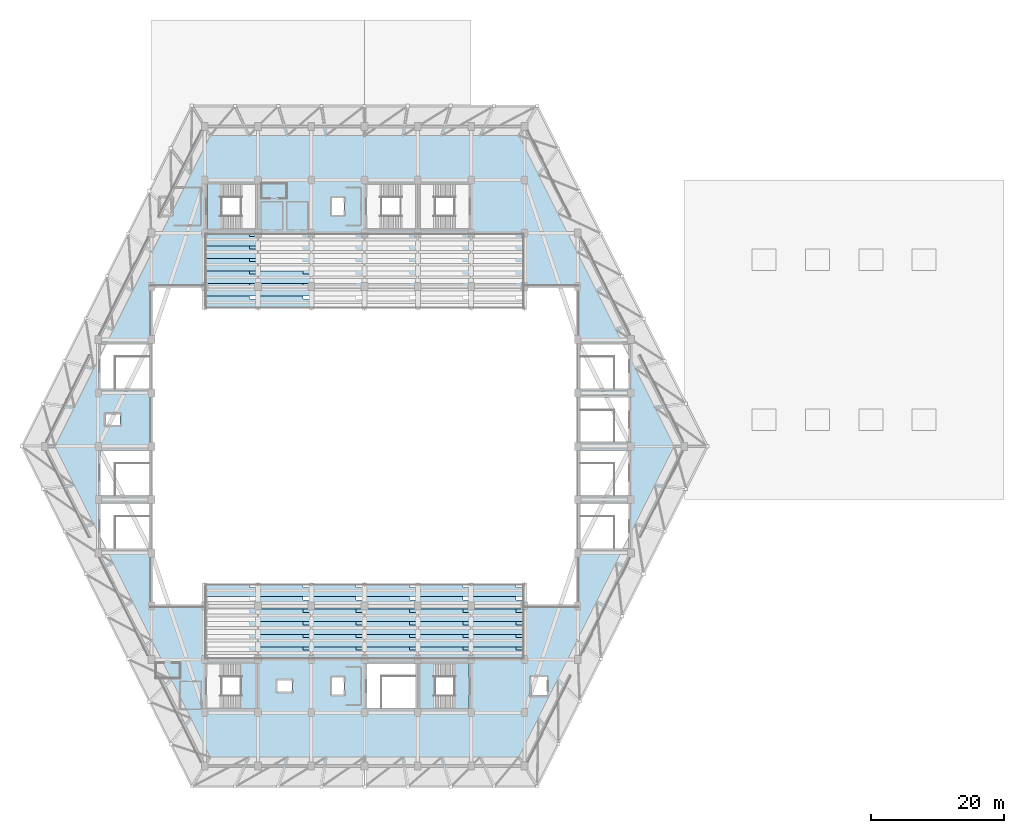
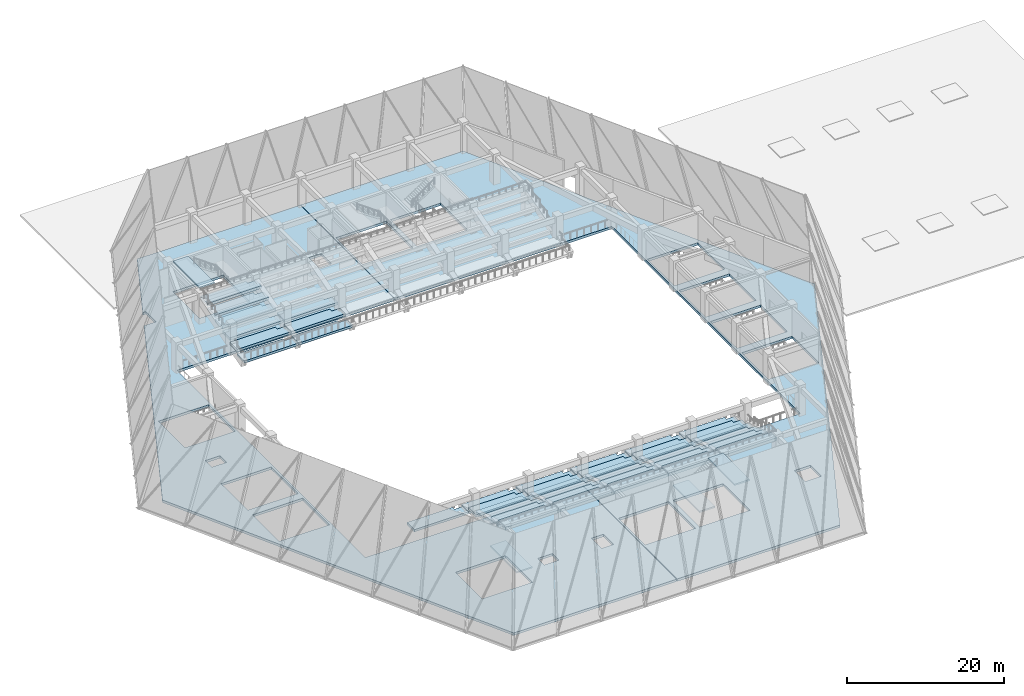
# One storey, part 5 of 24: 46 slabs, 3 elements without a shape of their own.
"""IFC4 building model written with IfcOpenShell, lengths in metres."""

from ifc_helpers import new_model, si_unit, direction, frame, origin, place, context, subcontext, project, spatial, polyline, outline, extrude, material, layer, layer_set, type_object, element, aggregate, save


model = new_model("IFC4")

# Units and contexts
model_context = context("Model", 3, precision=1e-05, world=origin(), true_north=direction((0.0, 1.0)))
body_context = subcontext(model_context, "Body", "Model", "MODEL_VIEW")
ifc_project = project(units=[si_unit("LENGTHUNIT", "METRE"), si_unit("AREAUNIT", "SQUARE_METRE"), si_unit("VOLUMEUNIT", "CUBIC_METRE"), si_unit("PLANEANGLEUNIT", "RADIAN"), si_unit("MASSUNIT", "GRAM", prefix="KILO")], contexts=[model_context])

# Site, building, storey
site_placement = place(None, origin())
site = spatial("IfcSite", under=ifc_project, at=site_placement, CompositionType="ELEMENT")
building_placement = place(site_placement, origin())
building = spatial("IfcBuilding", under=site, at=building_placement, Name="Tazarka Park Arena", CompositionType="ELEMENT")
storey_placement = place(building_placement, frame((0.0, 0.0, 15.0)))
storey = spatial("IfcBuildingStorey", under=building, at=storey_placement, Name="L03", CompositionType="ELEMENT", Elevation=15.0)

# Stair, slab
ifc_material_1 = material(Name="Precast concrete C40/50", Category="concrete")
stair_type = type_object("IfcStairType", Name="STR-2400", PredefinedType="HALF_TURN_STAIR", material=ifc_material_1)
stair_1_placement = place(storey_placement, origin())
stair_1 = element("IfcStair", 1, at=stair_1_placement, inside=storey, type_object=stair_type, Name="Stair ST09 L03", PredefinedType="HALF_TURN_STAIR")
ifc_material_2 = material(Name="Precast concrete C40/50", Category="concrete")
ifc_layer_1 = layer(ifc_material_2, 0.219970703125, Name="Precast concrete C40/50")
ifc_layer_set_1 = layer_set([ifc_layer_1], Name="Precast concrete C40/50")
slab_type_1 = type_object("IfcSlabType", Name="LND-02", PredefinedType="LANDING", material=ifc_layer_set_1)
slab_1_placement = place(storey_placement, frame((0.0, 0.0, 2.179931640625)))
slab_1 = element("IfcSlab", 2, at=slab_1_placement, type_object=slab_type_1, Name="ST09-L03 landing 1", PredefinedType="LANDING", context=body_context, shape_type="SweptSolid", body=[
    extrude(outline(polyline([(69.409912109375, 24.610107421875), (71.68994140625, 24.610107421875), (71.68994140625, 31.389892578125), (69.409912109375, 31.389892578125), (69.409912109375, 24.610107421875)])), origin(), (0.0, 0.0, 1.0), 0.219970703125),
])
aggregate(stair_1, [slab_1])

# Stair, slabs
stair_2_placement = place(storey_placement, origin())
stair_2 = element("IfcStair", 3, at=stair_2_placement, inside=storey, type_object=stair_type, Name="Stair ST11 L03", PredefinedType="HALF_TURN_STAIR")
slab_2_placement = place(storey_placement, frame((0.0, 0.0, 2.179931640625)))
slab_2 = element("IfcSlab", 4, at=slab_2_placement, type_object=slab_type_1, Name="ST11-L03 landing 1", PredefinedType="LANDING", context=body_context, shape_type="SweptSolid", body=[
    extrude(outline(polyline([(96.31005859375, 24.610107421875), (98.590087890625, 24.610107421875), (98.590087890625, 31.389892578125), (96.31005859375, 31.389892578125), (96.31005859375, 24.610107421875)])), origin(), (0.0, 0.0, 1.0), 0.219970703125),
])
slab_3_placement = place(storey_placement, frame((0.0, 0.0, 4.580078125)))
slab_3 = element("IfcSlab", 5, at=slab_3_placement, type_object=slab_type_1, Name="ST11-L03 landing 2", PredefinedType="LANDING", context=body_context, shape_type="SweptSolid", body=[
    extrude(outline(polyline([(101.465087890625, 24.610107421875), (103.68994140625, 24.610107421875), (103.68994140625, 31.389892578125), (101.465087890625, 31.389892578125), (101.465087890625, 24.610107421875)])), origin(), (0.0, 0.0, 1.0), 0.219970703125),
])
aggregate(stair_2, [slab_2, slab_3])

# Stair, slab
stair_3_placement = place(storey_placement, origin())
stair_3 = element("IfcStair", 6, at=stair_3_placement, inside=storey, type_object=stair_type, Name="Stair ST14 L03", PredefinedType="HALF_TURN_STAIR")
slab_4_placement = place(storey_placement, frame((0.0, 0.0, 4.580078125)))
slab_4 = element("IfcSlab", 7, at=slab_4_placement, type_object=slab_type_1, Name="ST14-L03 landing 2", PredefinedType="LANDING", context=body_context, shape_type="SweptSolid", body=[
    extrude(outline(polyline([(64.31005859375, 96.610107421875), (66.534912109375, 96.610107421875), (66.534912109375, 103.389892578125), (64.31005859375, 103.389892578125), (64.31005859375, 96.610107421875)])), origin(), (0.0, 0.0, 1.0), 0.219970703125),
])
aggregate(stair_3, [slab_4])

# Slabs
ifc_material_3 = material(Name="Concrete C40/50", Category="concrete")
ifc_layer_2 = layer(ifc_material_3, 0.3798828125, Name="Concrete C40/50")
ifc_layer_set_2 = layer_set([ifc_layer_2], Name="Concrete C40/50")
slab_type_2 = type_object("IfcSlabType", Name="SLB-SL-06", PredefinedType="FLOOR", material=ifc_layer_set_2)
slab_5_placement = place(storey_placement, frame((0.0, 0.0, -0.3798828125)))
element("IfcSlab", 8, at=slab_5_placement, inside=storey, type_object=slab_type_2, Name="FLR-L03-BW-01", PredefinedType="FLOOR", context=body_context, shape_type="SweptSolid", body=[
    extrude(outline(polyline([(56.0, 88.0), (56.0, 40.0), (87.968994140625, 39.9931640625), (87.96142578125, 16.002197265625), (63.996826171875, 16.00927734375), (40.003662109375, 64.00146484375), (57.3466796875, 98.693359375), (59.090087890625, 98.7099609375), (59.090087890625, 101.2900390625), (58.690673828125, 101.2900390625), (58.66552734375, 101.330810546875), (63.996826171875, 111.99072265625), (87.97314453125, 111.989013671875), (87.968994140625, 88.0068359375), (56.0, 88.0)]), holes=[polyline([(83.110107421875, 26.7099609375), (84.889892578125, 26.7099609375), (84.889892578125, 29.2900390625), (83.110107421875, 29.2900390625), (83.110107421875, 26.7099609375)]), polyline([(83.110107421875, 98.7099609375), (84.889892578125, 98.7099609375), (84.889892578125, 101.2900390625), (83.110107421875, 101.2900390625), (83.110107421875, 98.7099609375)]), polyline([(74.909912109375, 27.159912109375), (77.090087890625, 27.159912109375), (77.090087890625, 28.840087890625), (74.909912109375, 28.840087890625), (74.909912109375, 27.159912109375)]), polyline([(64.300048828125, 24.60009765625), (71.699951171875, 24.60009765625), (71.699951171875, 31.39990234375), (64.300048828125, 31.39990234375), (64.300048828125, 24.60009765625)]), polyline([(64.300048828125, 96.60009765625), (71.699951171875, 96.60009765625), (71.699951171875, 103.39990234375), (64.300048828125, 103.39990234375), (64.300048828125, 96.60009765625)]), polyline([(48.300048828125, 72.60009765625), (55.699951171875, 72.60009765625), (55.699951171875, 79.39990234375), (48.300048828125, 79.39990234375), (48.300048828125, 72.60009765625)]), polyline([(48.300048828125, 48.60009765625), (55.699951171875, 48.60009765625), (55.699951171875, 55.39990234375), (48.300048828125, 55.39990234375), (48.300048828125, 48.60009765625)]), polyline([(48.300048828125, 56.60009765625), (55.699951171875, 56.60009765625), (55.699951171875, 63.39990234375), (48.300048828125, 63.39990234375), (48.300048828125, 56.60009765625)]), polyline([(49.110107421875, 67.159912109375), (51.2900390625, 67.159912109375), (51.2900390625, 68.840087890625), (49.110107421875, 68.840087890625), (49.110107421875, 67.159912109375)])]), origin(), (0.0, 0.0, 1.0), 0.3798828125),
])
slab_6_placement = place(storey_placement, frame((0.0, 0.0, -0.3798828125)))
element("IfcSlab", 9, at=slab_6_placement, inside=storey, type_object=slab_type_2, Name="FLR-L03-BE-01", PredefinedType="FLOOR", context=body_context, shape_type="SweptSolid", body=[
    extrude(outline(polyline([(111.9814453125, 112.0), (135.976806640625, 64.04638671875), (135.978759765625, 63.958740234375), (112.003173828125, 16.00927734375), (88.044189453125, 16.00048828125), (88.031005859375, 39.9931640625), (120.0, 40.0), (120.0, 88.0), (88.050048828125, 88.0), (88.02001953125, 88.027099609375), (88.02880859375, 111.9912109375), (111.9814453125, 112.0)]), holes=[polyline([(120.300048828125, 48.60009765625), (127.699951171875, 48.60009765625), (127.699951171875, 55.39990234375), (120.300048828125, 55.39990234375), (120.300048828125, 48.60009765625)]), polyline([(120.300048828125, 56.60009765625), (127.699951171875, 56.60009765625), (127.699951171875, 63.39990234375), (120.300048828125, 63.39990234375), (120.300048828125, 56.60009765625)]), polyline([(120.300048828125, 64.60009765625), (127.699951171875, 64.60009765625), (127.699951171875, 71.39990234375), (120.300048828125, 71.39990234375), (120.300048828125, 64.60009765625)]), polyline([(120.300048828125, 72.60009765625), (127.699951171875, 72.60009765625), (127.699951171875, 79.39990234375), (120.300048828125, 79.39990234375), (120.300048828125, 72.60009765625)]), polyline([(113.010009765625, 26.610107421875), (115.389892578125, 26.610107421875), (115.389892578125, 29.389892578125), (113.010009765625, 29.389892578125), (113.010009765625, 26.610107421875)]), polyline([(96.300048828125, 24.60009765625), (103.699951171875, 24.60009765625), (103.699951171875, 31.39990234375), (96.300048828125, 31.39990234375), (96.300048828125, 24.60009765625)]), polyline([(96.300048828125, 96.60009765625), (103.699951171875, 96.60009765625), (103.699951171875, 103.39990234375), (96.300048828125, 103.39990234375), (96.300048828125, 96.60009765625)]), polyline([(88.300048828125, 24.60009765625), (95.699951171875, 24.60009765625), (95.699951171875, 31.39990234375), (88.300048828125, 31.39990234375), (88.300048828125, 24.60009765625)]), polyline([(88.300048828125, 96.60009765625), (95.699951171875, 96.60009765625), (95.699951171875, 103.39990234375), (88.300048828125, 103.39990234375), (88.300048828125, 96.60009765625)])]), origin(), (0.0, 0.0, 1.0), 0.3798828125),
])
ifc_material_4 = material(Name="Precast concrete C40/50", Category="concrete")
ifc_layer_3 = layer(ifc_material_4, 0.35009765625, Name="Precast concrete C40/50")
ifc_layer_set_3 = layer_set([ifc_layer_3], Name="Precast concrete C40/50")
slab_type_3 = type_object("IfcSlabType", Name="SLB-TR-01", PredefinedType="USERDEFINED", material=ifc_layer_set_3)
slab_7_placement = place(storey_placement, frame((0.0, 0.0, 0.300048828125)))
element("IfcSlab", 10, at=slab_7_placement, inside=storey, type_object=slab_type_3, Name="Stand Upper Tier S08-1", ObjectType="SEATING TIER", PredefinedType="USERDEFINED", context=body_context, shape_type="SweptSolid", body=[
    extrude(outline(polyline([(64.0400390625, 41.419921875), (71.9599609375, 41.419921875), (71.9599609375, 42.820068359375), (70.75, 42.820068359375), (70.75, 43.300048828125), (64.0400390625, 43.300048828125), (64.0400390625, 41.419921875)])), origin(), (0.0, 0.0, 1.0), 0.349853515625),
])
slab_8_placement = place(storey_placement, frame((0.0, 0.0, 0.300048828125)))
element("IfcSlab", 11, at=slab_8_placement, inside=storey, type_object=slab_type_3, Name="Stand Upper Tier S09-1", ObjectType="SEATING TIER", PredefinedType="USERDEFINED", context=body_context, shape_type="SweptSolid", body=[
    extrude(outline(polyline([(72.0400390625, 41.419921875), (79.9599609375, 41.419921875), (79.9599609375, 42.820068359375), (78.75, 42.820068359375), (78.75, 43.300048828125), (72.0400390625, 43.300048828125), (72.0400390625, 41.419921875)])), origin(), (0.0, 0.0, 1.0), 0.349853515625),
])
slab_9_placement = place(storey_placement, frame((0.0, 0.0, 0.300048828125)))
element("IfcSlab", 12, at=slab_9_placement, inside=storey, type_object=slab_type_3, Name="Stand Upper Tier S10-1", ObjectType="SEATING TIER", PredefinedType="USERDEFINED", context=body_context, shape_type="SweptSolid", body=[
    extrude(outline(polyline([(80.0400390625, 41.419921875), (87.9599609375, 41.419921875), (87.9599609375, 42.820068359375), (86.75, 42.820068359375), (86.75, 43.300048828125), (80.0400390625, 43.300048828125), (80.0400390625, 41.419921875)])), origin(), (0.0, 0.0, 1.0), 0.349853515625),
])
slab_10_placement = place(storey_placement, frame((0.0, 0.0, 0.300048828125)))
element("IfcSlab", 13, at=slab_10_placement, inside=storey, type_object=slab_type_3, Name="Stand Upper Tier S11-1", ObjectType="SEATING TIER", PredefinedType="USERDEFINED", context=body_context, shape_type="SweptSolid", body=[
    extrude(outline(polyline([(88.0400390625, 41.419921875), (95.9599609375, 41.419921875), (95.9599609375, 42.820068359375), (94.75, 42.820068359375), (94.75, 43.300048828125), (88.0400390625, 43.300048828125), (88.0400390625, 41.419921875)])), origin(), (0.0, 0.0, 1.0), 0.349853515625),
])
slab_11_placement = place(storey_placement, frame((0.0, 0.0, 0.300048828125)))
element("IfcSlab", 14, at=slab_11_placement, inside=storey, type_object=slab_type_3, Name="Stand Upper Tier S12-1", ObjectType="SEATING TIER", PredefinedType="USERDEFINED", context=body_context, shape_type="SweptSolid", body=[
    extrude(outline(polyline([(96.0400390625, 41.419921875), (103.9599609375, 41.419921875), (103.9599609375, 42.820068359375), (102.75, 42.820068359375), (102.75, 43.300048828125), (96.0400390625, 43.300048828125), (96.0400390625, 41.419921875)])), origin(), (0.0, 0.0, 1.0), 0.349853515625),
])
slab_12_placement = place(storey_placement, frame((0.0, 0.0, 0.300048828125)))
element("IfcSlab", 15, at=slab_12_placement, inside=storey, type_object=slab_type_3, Name="Stand Upper Tier S13-1", ObjectType="SEATING TIER", PredefinedType="USERDEFINED", context=body_context, shape_type="SweptSolid", body=[
    extrude(outline(polyline([(104.0400390625, 41.419921875), (111.9599609375, 41.419921875), (111.9599609375, 42.820068359375), (110.75, 42.820068359375), (110.75, 43.300048828125), (104.0400390625, 43.300048828125), (104.0400390625, 41.419921875)])), origin(), (0.0, 0.0, 1.0), 0.349853515625),
])
slab_13_placement = place(storey_placement, frame((0.0, 0.0, 0.300048828125)))
element("IfcSlab", 16, at=slab_13_placement, inside=storey, type_object=slab_type_3, Name="Stand Upper Tier N08-1", ObjectType="SEATING TIER", PredefinedType="USERDEFINED", context=body_context, shape_type="SweptSolid", body=[
    extrude(outline(polyline([(64.0400390625, 84.699951171875), (71.9599609375, 84.699951171875), (71.9599609375, 86.10009765625), (70.75, 86.10009765625), (70.75, 86.580078125), (64.0400390625, 86.580078125), (64.0400390625, 84.699951171875)])), origin(), (0.0, 0.0, 1.0), 0.349853515625),
])
slab_14_placement = place(storey_placement, frame((0.0, 0.0, 0.300048828125)))
element("IfcSlab", 17, at=slab_14_placement, inside=storey, type_object=slab_type_3, Name="Stand Upper Tier N09-1", ObjectType="SEATING TIER", PredefinedType="USERDEFINED", context=body_context, shape_type="SweptSolid", body=[
    extrude(outline(polyline([(72.0400390625, 84.699951171875), (79.9599609375, 84.699951171875), (79.9599609375, 86.10009765625), (78.75, 86.10009765625), (78.75, 86.580078125), (72.0400390625, 86.580078125), (72.0400390625, 84.699951171875)])), origin(), (0.0, 0.0, 1.0), 0.349853515625),
])
ifc_material_5 = material(Name="Precast concrete C40/50", Category="concrete")
ifc_layer_4 = layer(ifc_material_5, 0.3701171875, Name="Precast concrete C40/50")
ifc_layer_set_4 = layer_set([ifc_layer_4], Name="Precast concrete C40/50")
slab_type_4 = type_object("IfcSlabType", Name="SLB-TR-02", PredefinedType="USERDEFINED", material=ifc_layer_set_4)
slab_15_placement = place(storey_placement, frame((0.0, 0.0, 0.929931640625)))
element("IfcSlab", 18, at=slab_15_placement, inside=storey, type_object=slab_type_4, Name="Stand Upper Tier S09-2", ObjectType="SEATING TIER", PredefinedType="USERDEFINED", context=body_context, shape_type="SweptSolid", body=[
    extrude(outline(polyline([(72.0400390625, 39.5400390625), (79.9599609375, 39.5400390625), (79.9599609375, 40.93994140625), (78.75, 40.93994140625), (78.75, 41.419921875), (72.0400390625, 41.419921875), (72.0400390625, 39.5400390625)])), origin(), (0.0, 0.0, 1.0), 0.3701171875),
])
slab_16_placement = place(storey_placement, frame((0.0, 0.0, 0.929931640625)))
element("IfcSlab", 19, at=slab_16_placement, inside=storey, type_object=slab_type_4, Name="Stand Upper Tier S10-2", ObjectType="SEATING TIER", PredefinedType="USERDEFINED", context=body_context, shape_type="SweptSolid", body=[
    extrude(outline(polyline([(80.0400390625, 39.5400390625), (87.9599609375, 39.5400390625), (87.9599609375, 40.93994140625), (86.75, 40.93994140625), (86.75, 41.419921875), (80.0400390625, 41.419921875), (80.0400390625, 39.5400390625)])), origin(), (0.0, 0.0, 1.0), 0.3701171875),
])
slab_17_placement = place(storey_placement, frame((0.0, 0.0, 0.929931640625)))
element("IfcSlab", 20, at=slab_17_placement, inside=storey, type_object=slab_type_4, Name="Stand Upper Tier S11-2", ObjectType="SEATING TIER", PredefinedType="USERDEFINED", context=body_context, shape_type="SweptSolid", body=[
    extrude(outline(polyline([(88.0400390625, 39.5400390625), (95.9599609375, 39.5400390625), (95.9599609375, 40.93994140625), (94.75, 40.93994140625), (94.75, 41.419921875), (88.0400390625, 41.419921875), (88.0400390625, 39.5400390625)])), origin(), (0.0, 0.0, 1.0), 0.3701171875),
])
slab_18_placement = place(storey_placement, frame((0.0, 0.0, 0.929931640625)))
element("IfcSlab", 21, at=slab_18_placement, inside=storey, type_object=slab_type_4, Name="Stand Upper Tier S12-2", ObjectType="SEATING TIER", PredefinedType="USERDEFINED", context=body_context, shape_type="SweptSolid", body=[
    extrude(outline(polyline([(96.0400390625, 39.5400390625), (103.9599609375, 39.5400390625), (103.9599609375, 40.93994140625), (102.75, 40.93994140625), (102.75, 41.419921875), (96.0400390625, 41.419921875), (96.0400390625, 39.5400390625)])), origin(), (0.0, 0.0, 1.0), 0.3701171875),
])
slab_19_placement = place(storey_placement, frame((0.0, 0.0, 0.929931640625)))
element("IfcSlab", 22, at=slab_19_placement, inside=storey, type_object=slab_type_4, Name="Stand Upper Tier S13-2", ObjectType="SEATING TIER", PredefinedType="USERDEFINED", context=body_context, shape_type="SweptSolid", body=[
    extrude(outline(polyline([(104.0400390625, 39.5400390625), (111.9599609375, 39.5400390625), (111.9599609375, 40.93994140625), (110.75, 40.93994140625), (110.75, 41.419921875), (104.0400390625, 41.419921875), (104.0400390625, 39.5400390625)])), origin(), (0.0, 0.0, 1.0), 0.3701171875),
])
slab_20_placement = place(storey_placement, frame((0.0, 0.0, 0.929931640625)))
element("IfcSlab", 23, at=slab_20_placement, inside=storey, type_object=slab_type_4, Name="Stand Upper Tier N08-2", ObjectType="SEATING TIER", PredefinedType="USERDEFINED", context=body_context, shape_type="SweptSolid", body=[
    extrude(outline(polyline([(64.0400390625, 86.580078125), (71.9599609375, 86.580078125), (71.9599609375, 87.97998046875), (70.75, 87.97998046875), (70.75, 88.4599609375), (64.0400390625, 88.4599609375), (64.0400390625, 86.580078125)])), origin(), (0.0, 0.0, 1.0), 0.3701171875),
])
slab_21_placement = place(storey_placement, frame((0.0, 0.0, 0.929931640625)))
element("IfcSlab", 24, at=slab_21_placement, inside=storey, type_object=slab_type_4, Name="Stand Upper Tier N09-2", ObjectType="SEATING TIER", PredefinedType="USERDEFINED", context=body_context, shape_type="SweptSolid", body=[
    extrude(outline(polyline([(72.0400390625, 86.580078125), (79.9599609375, 86.580078125), (79.9599609375, 87.97998046875), (78.75, 87.97998046875), (78.75, 88.4599609375), (72.0400390625, 88.4599609375), (72.0400390625, 86.580078125)])), origin(), (0.0, 0.0, 1.0), 0.3701171875),
])
ifc_material_6 = material(Name="Precast concrete C40/50", Category="concrete")
ifc_layer_5 = layer(ifc_material_6, 0.389892578125, Name="Precast concrete C40/50")
ifc_layer_set_5 = layer_set([ifc_layer_5], Name="Precast concrete C40/50")
slab_type_5 = type_object("IfcSlabType", Name="SLB-TR-03", PredefinedType="USERDEFINED", material=ifc_layer_set_5)
slab_22_placement = place(storey_placement, frame((0.0, 0.0, 1.56005859375)))
element("IfcSlab", 25, at=slab_22_placement, inside=storey, type_object=slab_type_5, Name="Stand Upper Tier S09-3", ObjectType="SEATING TIER", PredefinedType="USERDEFINED", context=body_context, shape_type="SweptSolid", body=[
    extrude(outline(polyline([(72.0400390625, 37.659912109375), (79.9599609375, 37.659912109375), (79.9599609375, 39.06005859375), (78.75, 39.06005859375), (78.75, 39.5400390625), (72.0400390625, 39.5400390625), (72.0400390625, 37.659912109375)])), origin(), (0.0, 0.0, 1.0), 0.389892578125),
])
slab_23_placement = place(storey_placement, frame((0.0, 0.0, 1.56005859375)))
element("IfcSlab", 26, at=slab_23_placement, inside=storey, type_object=slab_type_5, Name="Stand Upper Tier S10-3", ObjectType="SEATING TIER", PredefinedType="USERDEFINED", context=body_context, shape_type="SweptSolid", body=[
    extrude(outline(polyline([(80.0400390625, 37.659912109375), (87.9599609375, 37.659912109375), (87.9599609375, 39.06005859375), (86.75, 39.06005859375), (86.75, 39.5400390625), (80.0400390625, 39.5400390625), (80.0400390625, 37.659912109375)])), origin(), (0.0, 0.0, 1.0), 0.389892578125),
])
slab_24_placement = place(storey_placement, frame((0.0, 0.0, 1.56005859375)))
element("IfcSlab", 27, at=slab_24_placement, inside=storey, type_object=slab_type_5, Name="Stand Upper Tier S11-3", ObjectType="SEATING TIER", PredefinedType="USERDEFINED", context=body_context, shape_type="SweptSolid", body=[
    extrude(outline(polyline([(88.0400390625, 37.659912109375), (95.9599609375, 37.659912109375), (95.9599609375, 39.06005859375), (94.75, 39.06005859375), (94.75, 39.5400390625), (88.0400390625, 39.5400390625), (88.0400390625, 37.659912109375)])), origin(), (0.0, 0.0, 1.0), 0.389892578125),
])
slab_25_placement = place(storey_placement, frame((0.0, 0.0, 1.56005859375)))
element("IfcSlab", 28, at=slab_25_placement, inside=storey, type_object=slab_type_5, Name="Stand Upper Tier S12-3", ObjectType="SEATING TIER", PredefinedType="USERDEFINED", context=body_context, shape_type="SweptSolid", body=[
    extrude(outline(polyline([(96.0400390625, 37.659912109375), (103.9599609375, 37.659912109375), (103.9599609375, 39.06005859375), (102.75, 39.06005859375), (102.75, 39.5400390625), (96.0400390625, 39.5400390625), (96.0400390625, 37.659912109375)])), origin(), (0.0, 0.0, 1.0), 0.389892578125),
])
slab_26_placement = place(storey_placement, frame((0.0, 0.0, 1.56005859375)))
element("IfcSlab", 29, at=slab_26_placement, inside=storey, type_object=slab_type_5, Name="Stand Upper Tier S13-3", ObjectType="SEATING TIER", PredefinedType="USERDEFINED", context=body_context, shape_type="SweptSolid", body=[
    extrude(outline(polyline([(104.0400390625, 37.659912109375), (111.9599609375, 37.659912109375), (111.9599609375, 39.06005859375), (110.75, 39.06005859375), (110.75, 39.5400390625), (104.0400390625, 39.5400390625), (104.0400390625, 37.659912109375)])), origin(), (0.0, 0.0, 1.0), 0.389892578125),
])
slab_27_placement = place(storey_placement, frame((0.0, 0.0, 1.56005859375)))
element("IfcSlab", 30, at=slab_27_placement, inside=storey, type_object=slab_type_5, Name="Stand Upper Tier N08-3", ObjectType="SEATING TIER", PredefinedType="USERDEFINED", context=body_context, shape_type="SweptSolid", body=[
    extrude(outline(polyline([(64.0400390625, 88.4599609375), (71.9599609375, 88.4599609375), (71.9599609375, 89.860107421875), (70.75, 89.860107421875), (70.75, 90.340087890625), (64.0400390625, 90.340087890625), (64.0400390625, 88.4599609375)])), origin(), (0.0, 0.0, 1.0), 0.389892578125),
])
slab_28_placement = place(storey_placement, frame((0.0, 0.0, 1.56005859375)))
element("IfcSlab", 31, at=slab_28_placement, inside=storey, type_object=slab_type_5, Name="Stand Upper Tier N09-3", ObjectType="SEATING TIER", PredefinedType="USERDEFINED", context=body_context, shape_type="SweptSolid", body=[
    extrude(outline(polyline([(72.0400390625, 88.4599609375), (79.9599609375, 88.4599609375), (79.9599609375, 89.860107421875), (78.75, 89.860107421875), (78.75, 90.340087890625), (72.0400390625, 90.340087890625), (72.0400390625, 88.4599609375)])), origin(), (0.0, 0.0, 1.0), 0.389892578125),
])
ifc_material_7 = material(Name="Precast concrete C40/50", Category="concrete")
ifc_layer_6 = layer(ifc_material_7, 0.409912109375, Name="Precast concrete C40/50")
ifc_layer_set_6 = layer_set([ifc_layer_6], Name="Precast concrete C40/50")
slab_type_6 = type_object("IfcSlabType", Name="SLB-TR-04", PredefinedType="USERDEFINED", material=ifc_layer_set_6)
slab_29_placement = place(storey_placement, frame((0.0, 0.0, 2.18994140625)))
element("IfcSlab", 32, at=slab_29_placement, inside=storey, type_object=slab_type_6, Name="Stand Upper Tier S09-4", ObjectType="SEATING TIER", PredefinedType="USERDEFINED", context=body_context, shape_type="SweptSolid", body=[
    extrude(outline(polyline([(72.0400390625, 35.780029296875), (79.9599609375, 35.780029296875), (79.9599609375, 37.179931640625), (78.75, 37.179931640625), (78.75, 37.659912109375), (72.0400390625, 37.659912109375), (72.0400390625, 35.780029296875)])), origin(), (0.0, 0.0, 1.0), 0.41015625),
])
slab_30_placement = place(storey_placement, frame((0.0, 0.0, 2.18994140625)))
element("IfcSlab", 33, at=slab_30_placement, inside=storey, type_object=slab_type_6, Name="Stand Upper Tier S10-4", ObjectType="SEATING TIER", PredefinedType="USERDEFINED", context=body_context, shape_type="SweptSolid", body=[
    extrude(outline(polyline([(80.0400390625, 35.780029296875), (87.9599609375, 35.780029296875), (87.9599609375, 37.179931640625), (86.75, 37.179931640625), (86.75, 37.659912109375), (80.0400390625, 37.659912109375), (80.0400390625, 35.780029296875)])), origin(), (0.0, 0.0, 1.0), 0.41015625),
])
slab_31_placement = place(storey_placement, frame((0.0, 0.0, 2.18994140625)))
element("IfcSlab", 34, at=slab_31_placement, inside=storey, type_object=slab_type_6, Name="Stand Upper Tier S11-4", ObjectType="SEATING TIER", PredefinedType="USERDEFINED", context=body_context, shape_type="SweptSolid", body=[
    extrude(outline(polyline([(88.0400390625, 35.780029296875), (95.9599609375, 35.780029296875), (95.9599609375, 37.179931640625), (94.75, 37.179931640625), (94.75, 37.659912109375), (88.0400390625, 37.659912109375), (88.0400390625, 35.780029296875)])), origin(), (0.0, 0.0, 1.0), 0.41015625),
])
slab_32_placement = place(storey_placement, frame((0.0, 0.0, 2.18994140625)))
element("IfcSlab", 35, at=slab_32_placement, inside=storey, type_object=slab_type_6, Name="Stand Upper Tier S12-4", ObjectType="SEATING TIER", PredefinedType="USERDEFINED", context=body_context, shape_type="SweptSolid", body=[
    extrude(outline(polyline([(96.0400390625, 35.780029296875), (103.9599609375, 35.780029296875), (103.9599609375, 37.179931640625), (102.75, 37.179931640625), (102.75, 37.659912109375), (96.0400390625, 37.659912109375), (96.0400390625, 35.780029296875)])), origin(), (0.0, 0.0, 1.0), 0.41015625),
])
slab_33_placement = place(storey_placement, frame((0.0, 0.0, 2.18994140625)))
element("IfcSlab", 36, at=slab_33_placement, inside=storey, type_object=slab_type_6, Name="Stand Upper Tier S13-4", ObjectType="SEATING TIER", PredefinedType="USERDEFINED", context=body_context, shape_type="SweptSolid", body=[
    extrude(outline(polyline([(104.0400390625, 35.780029296875), (111.9599609375, 35.780029296875), (111.9599609375, 37.179931640625), (110.75, 37.179931640625), (110.75, 37.659912109375), (104.0400390625, 37.659912109375), (104.0400390625, 35.780029296875)])), origin(), (0.0, 0.0, 1.0), 0.41015625),
])
slab_34_placement = place(storey_placement, frame((0.0, 0.0, 2.18994140625)))
element("IfcSlab", 37, at=slab_34_placement, inside=storey, type_object=slab_type_6, Name="Stand Upper Tier N08-4", ObjectType="SEATING TIER", PredefinedType="USERDEFINED", context=body_context, shape_type="SweptSolid", body=[
    extrude(outline(polyline([(64.0400390625, 90.340087890625), (71.9599609375, 90.340087890625), (71.9599609375, 91.739990234375), (70.75, 91.739990234375), (70.75, 92.219970703125), (64.0400390625, 92.219970703125), (64.0400390625, 90.340087890625)])), origin(), (0.0, 0.0, 1.0), 0.41015625),
])
ifc_material_8 = material(Name="Precast concrete C40/50", Category="concrete")
ifc_layer_7 = layer(ifc_material_8, 0.429931640625, Name="Precast concrete C40/50")
ifc_layer_set_7 = layer_set([ifc_layer_7], Name="Precast concrete C40/50")
slab_type_7 = type_object("IfcSlabType", Name="SLB-TR-05", PredefinedType="USERDEFINED", material=ifc_layer_set_7)
slab_35_placement = place(storey_placement, frame((0.0, 0.0, 2.820068359375)))
element("IfcSlab", 38, at=slab_35_placement, inside=storey, type_object=slab_type_7, Name="Stand Upper Tier S09-5", ObjectType="SEATING TIER", PredefinedType="USERDEFINED", context=body_context, shape_type="SweptSolid", body=[
    extrude(outline(polyline([(72.0400390625, 33.89990234375), (79.9599609375, 33.89990234375), (79.9599609375, 35.300048828125), (78.75, 35.300048828125), (78.75, 35.780029296875), (72.0400390625, 35.780029296875), (72.0400390625, 33.89990234375)])), origin(), (0.0, 0.0, 1.0), 0.429931640625),
])
slab_36_placement = place(storey_placement, frame((0.0, 0.0, 2.820068359375)))
element("IfcSlab", 39, at=slab_36_placement, inside=storey, type_object=slab_type_7, Name="Stand Upper Tier S10-5", ObjectType="SEATING TIER", PredefinedType="USERDEFINED", context=body_context, shape_type="SweptSolid", body=[
    extrude(outline(polyline([(80.0400390625, 33.89990234375), (87.9599609375, 33.89990234375), (87.9599609375, 35.300048828125), (86.75, 35.300048828125), (86.75, 35.780029296875), (80.0400390625, 35.780029296875), (80.0400390625, 33.89990234375)])), origin(), (0.0, 0.0, 1.0), 0.429931640625),
])
slab_37_placement = place(storey_placement, frame((0.0, 0.0, 2.820068359375)))
element("IfcSlab", 40, at=slab_37_placement, inside=storey, type_object=slab_type_7, Name="Stand Upper Tier S11-5", ObjectType="SEATING TIER", PredefinedType="USERDEFINED", context=body_context, shape_type="SweptSolid", body=[
    extrude(outline(polyline([(88.0400390625, 33.89990234375), (95.9599609375, 33.89990234375), (95.9599609375, 35.300048828125), (94.75, 35.300048828125), (94.75, 35.780029296875), (88.0400390625, 35.780029296875), (88.0400390625, 33.89990234375)])), origin(), (0.0, 0.0, 1.0), 0.429931640625),
])
slab_38_placement = place(storey_placement, frame((0.0, 0.0, 2.820068359375)))
element("IfcSlab", 41, at=slab_38_placement, inside=storey, type_object=slab_type_7, Name="Stand Upper Tier S12-5", ObjectType="SEATING TIER", PredefinedType="USERDEFINED", context=body_context, shape_type="SweptSolid", body=[
    extrude(outline(polyline([(96.0400390625, 33.89990234375), (103.9599609375, 33.89990234375), (103.9599609375, 35.300048828125), (102.75, 35.300048828125), (102.75, 35.780029296875), (96.0400390625, 35.780029296875), (96.0400390625, 33.89990234375)])), origin(), (0.0, 0.0, 1.0), 0.429931640625),
])
slab_39_placement = place(storey_placement, frame((0.0, 0.0, 2.820068359375)))
element("IfcSlab", 42, at=slab_39_placement, inside=storey, type_object=slab_type_7, Name="Stand Upper Tier S13-5", ObjectType="SEATING TIER", PredefinedType="USERDEFINED", context=body_context, shape_type="SweptSolid", body=[
    extrude(outline(polyline([(104.0400390625, 33.89990234375), (111.9599609375, 33.89990234375), (111.9599609375, 35.300048828125), (110.75, 35.300048828125), (110.75, 35.780029296875), (104.0400390625, 35.780029296875), (104.0400390625, 33.89990234375)])), origin(), (0.0, 0.0, 1.0), 0.429931640625),
])
slab_40_placement = place(storey_placement, frame((0.0, 0.0, 2.820068359375)))
element("IfcSlab", 43, at=slab_40_placement, inside=storey, type_object=slab_type_7, Name="Stand Upper Tier N08-5", ObjectType="SEATING TIER", PredefinedType="USERDEFINED", context=body_context, shape_type="SweptSolid", body=[
    extrude(outline(polyline([(64.0400390625, 92.219970703125), (71.9599609375, 92.219970703125), (71.9599609375, 93.6201171875), (70.75, 93.6201171875), (70.75, 94.10009765625), (64.0400390625, 94.10009765625), (64.0400390625, 92.219970703125)])), origin(), (0.0, 0.0, 1.0), 0.429931640625),
])
ifc_material_9 = material(Name="Precast concrete C40/50", Category="concrete")
ifc_layer_8 = layer(ifc_material_9, 0.43994140625, Name="Precast concrete C40/50")
ifc_layer_set_8 = layer_set([ifc_layer_8], Name="Precast concrete C40/50")
slab_type_8 = type_object("IfcSlabType", Name="SLB-TR-06", PredefinedType="USERDEFINED", material=ifc_layer_set_8)
slab_41_placement = place(storey_placement, frame((0.0, 0.0, 3.4599609375)))
element("IfcSlab", 44, at=slab_41_placement, inside=storey, type_object=slab_type_8, Name="Stand Upper Tier S09-6", ObjectType="SEATING TIER", PredefinedType="USERDEFINED", context=body_context, shape_type="SweptSolid", body=[
    extrude(outline(polyline([(72.0400390625, 32.02001953125), (79.9599609375, 32.02001953125), (79.9599609375, 33.419921875), (78.75, 33.419921875), (78.75, 33.89990234375), (72.0400390625, 33.89990234375), (72.0400390625, 32.02001953125)])), origin(), (0.0, 0.0, 1.0), 0.43994140625),
])
slab_42_placement = place(storey_placement, frame((0.0, 0.0, 3.4599609375)))
element("IfcSlab", 45, at=slab_42_placement, inside=storey, type_object=slab_type_8, Name="Stand Upper Tier S10-6", ObjectType="SEATING TIER", PredefinedType="USERDEFINED", context=body_context, shape_type="SweptSolid", body=[
    extrude(outline(polyline([(80.0400390625, 32.02001953125), (87.9599609375, 32.02001953125), (87.9599609375, 33.419921875), (86.75, 33.419921875), (86.75, 33.89990234375), (80.0400390625, 33.89990234375), (80.0400390625, 32.02001953125)])), origin(), (0.0, 0.0, 1.0), 0.43994140625),
])
slab_43_placement = place(storey_placement, frame((0.0, 0.0, 3.4599609375)))
element("IfcSlab", 46, at=slab_43_placement, inside=storey, type_object=slab_type_8, Name="Stand Upper Tier S11-6", ObjectType="SEATING TIER", PredefinedType="USERDEFINED", context=body_context, shape_type="SweptSolid", body=[
    extrude(outline(polyline([(88.0400390625, 32.02001953125), (95.9599609375, 32.02001953125), (95.9599609375, 33.419921875), (94.75, 33.419921875), (94.75, 33.89990234375), (88.0400390625, 33.89990234375), (88.0400390625, 32.02001953125)])), origin(), (0.0, 0.0, 1.0), 0.43994140625),
])
slab_44_placement = place(storey_placement, frame((0.0, 0.0, 3.4599609375)))
element("IfcSlab", 47, at=slab_44_placement, inside=storey, type_object=slab_type_8, Name="Stand Upper Tier S12-6", ObjectType="SEATING TIER", PredefinedType="USERDEFINED", context=body_context, shape_type="SweptSolid", body=[
    extrude(outline(polyline([(96.0400390625, 32.02001953125), (103.9599609375, 32.02001953125), (103.9599609375, 33.419921875), (102.75, 33.419921875), (102.75, 33.89990234375), (96.0400390625, 33.89990234375), (96.0400390625, 32.02001953125)])), origin(), (0.0, 0.0, 1.0), 0.43994140625),
])
slab_45_placement = place(storey_placement, frame((0.0, 0.0, 3.4599609375)))
element("IfcSlab", 48, at=slab_45_placement, inside=storey, type_object=slab_type_8, Name="Stand Upper Tier S13-6", ObjectType="SEATING TIER", PredefinedType="USERDEFINED", context=body_context, shape_type="SweptSolid", body=[
    extrude(outline(polyline([(104.0400390625, 32.02001953125), (111.9599609375, 32.02001953125), (111.9599609375, 33.419921875), (110.75, 33.419921875), (110.75, 33.89990234375), (104.0400390625, 33.89990234375), (104.0400390625, 32.02001953125)])), origin(), (0.0, 0.0, 1.0), 0.43994140625),
])
slab_46_placement = place(storey_placement, frame((0.0, 0.0, 3.4599609375)))
element("IfcSlab", 49, at=slab_46_placement, inside=storey, type_object=slab_type_8, Name="Stand Upper Tier N08-6", ObjectType="SEATING TIER", PredefinedType="USERDEFINED", context=body_context, shape_type="SweptSolid", body=[
    extrude(outline(polyline([(64.0400390625, 94.10009765625), (71.9599609375, 94.10009765625), (71.9599609375, 95.5), (70.75, 95.5), (70.75, 95.97998046875), (64.0400390625, 95.97998046875), (64.0400390625, 94.10009765625)])), origin(), (0.0, 0.0, 1.0), 0.43994140625),
])

save(model, "model.ifc")
